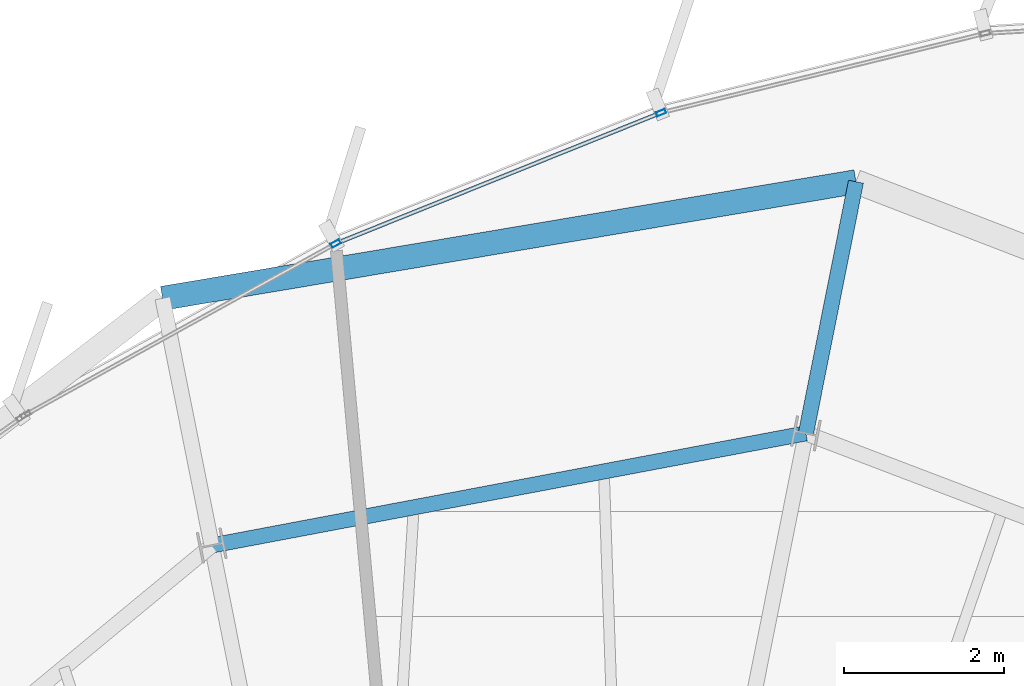
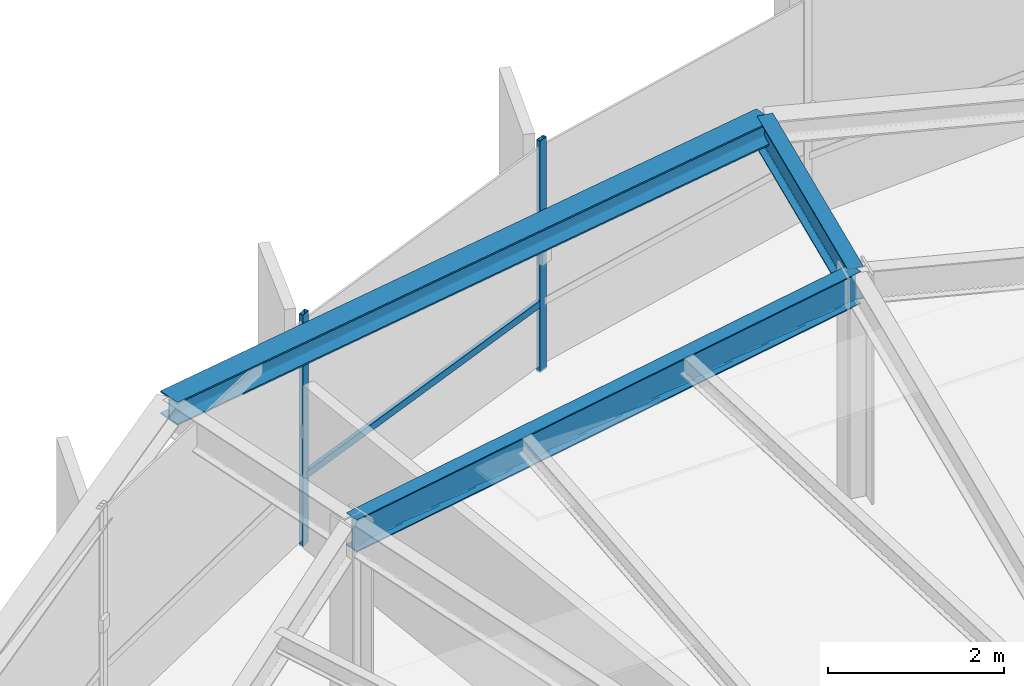
# One storey, part 21 of 32: 3 beams, 3 members, 1 element without a shape of its own.
"""IFC4 building model written with IfcOpenShell, lengths in metres."""

from ifc_helpers import new_model, si_unit, direction, frame, origin, origin_2d, place, context, subcontext, project, spatial, hollow_rectangle, i_section, extrude, source, transform, mapped, material, layer, layer_set, material_profile, profile_set, type_object, element, aggregate, save


model = new_model("IFC4")

# Units and contexts
model_context = context("Model", 3, precision=1e-05, world=origin(), true_north=direction((0.0, 1.0)))
body_context = subcontext(model_context, "Body", "Model", "MODEL_VIEW")
ifc_project = project(units=[si_unit("LENGTHUNIT", "METRE"), si_unit("AREAUNIT", "SQUARE_METRE"), si_unit("VOLUMEUNIT", "CUBIC_METRE"), si_unit("PLANEANGLEUNIT", "RADIAN"), si_unit("MASSUNIT", "GRAM", prefix="KILO"), si_unit("THERMODYNAMICTEMPERATUREUNIT", "KELVIN")], contexts=[model_context])

# Site, building, storey
site_placement = place(None, origin())
site = spatial("IfcSite", under=ifc_project, at=site_placement, CompositionType="ELEMENT")
building_placement = place(site_placement, origin())
building = spatial("IfcBuilding", under=site, at=building_placement, Name="Kethvar Cultural Tower", CompositionType="ELEMENT")
storey_placement = place(building_placement, frame((0.0, 0.0, 252.550048828125)))
storey = spatial("IfcBuildingStorey", under=building, at=storey_placement, Name="L66", CompositionType="ELEMENT", Elevation=252.550048828125)

# Beams
ifc_material_1 = material(Name="Steel S355J2", Category="steel")
ifc_material_profile_1 = material_profile(ifc_material_1, i_section(OverallWidth=0.18994140625, OverallDepth=0.449951171875, WebThickness=0.009521484375, FlangeThickness=0.0146484375, FilletRadius=0.02099609375, at=origin_2d()), Name="Steel S355J2 — IPE450")
ifc_profile_set_1 = profile_set([ifc_material_profile_1], Name="Steel S355J2 — IPE450")
beam_type_1 = type_object("IfcBeamType", Name="BM-IPE450", PredefinedType="BEAM", material=ifc_profile_set_1)
shared_shape_1 = source(origin(), body_context, "Body", "SweptSolid", [
    extrude(i_section(OverallWidth=0.18994140625, OverallDepth=0.449951171875, WebThickness=0.009521484375, FlangeThickness=0.0146484375, FilletRadius=0.02099609375, at=origin_2d()), origin(), (0.0, 0.0, 1.0), 3.199951171875),
])
beam_1_placement = place(storey_placement, frame((50.645263671875, 47.131591796875, 2.98291015625), z_axis=(0.195088965533, 0.980785550224, 0.0), x_axis=(-0.980785550224, 0.195088965533, 0.0)))
element("IfcBeam", 1, at=beam_1_placement, inside=storey, type_object=beam_type_1, Name="L66 Perimeter Cantilever Beam RC-04", PredefinedType="BEAM", context=body_context, shape_type="MappedRepresentation", body=[
    mapped(shared_shape_1, transform((0.0, 0.0, 0.0), scale=1.0)),
])
shared_shape_2 = source(origin(), body_context, "Body", "SweptSolid", [
    extrude(i_section(OverallWidth=0.18994140625, OverallDepth=0.449951171875, WebThickness=0.009521484375, FlangeThickness=0.0146484375, FilletRadius=0.02099609375, at=origin_2d()), origin(), (0.0, 0.0, 1.0), 7.543212890625),
])
beam_2_placement = place(storey_placement, frame((50.645263671875, 47.131591796875, 2.98291015625), z_axis=(-0.982646853086, -0.185486285532, 0.0), x_axis=(0.185486285532, -0.982646853086, 0.0)))
element("IfcBeam", 2, at=beam_2_placement, inside=storey, type_object=beam_type_1, Name="L66 Column Ring Tie Beam CR-04", PredefinedType="BEAM", context=body_context, shape_type="MappedRepresentation", body=[
    mapped(shared_shape_2, transform((0.0, 0.0, 0.0), scale=1.0)),
])
ifc_material_profile_2 = material_profile(ifc_material_1, i_section(OverallWidth=0.300048828125, OverallDepth=0.320068359375, WebThickness=0.011474609375, FlangeThickness=0.0205078125, FilletRadius=0.027099609375, at=origin_2d()), Name="Steel S355J2 — HEB320")
ifc_profile_set_2 = profile_set([ifc_material_profile_2], Name="Steel S355J2 — HEB320")
beam_type_2 = type_object("IfcBeamType", Name="BM-SP320", PredefinedType="SPANDREL", material=ifc_profile_set_2)
shared_shape_3 = source(origin(), body_context, "Body", "SweptSolid", [
    extrude(i_section(OverallWidth=0.300048828125, OverallDepth=0.320068359375, WebThickness=0.011474609375, FlangeThickness=0.0205078125, FilletRadius=0.027099609375, at=origin_2d()), origin(), (0.0, 0.0, 1.0), 8.771240234375),
])
beam_3_placement = place(storey_placement, frame((51.26953125, 50.27001953125, 3.0478515625), z_axis=(-0.986162761185, -0.165780000159, 0.0), x_axis=(0.165780000159, -0.986162761185, 0.0)))
element("IfcBeam", 3, at=beam_3_placement, inside=storey, type_object=beam_type_2, Name="L66 Perimeter Spandrel Beam SP-04", PredefinedType="SPANDREL", context=body_context, shape_type="MappedRepresentation", body=[
    mapped(shared_shape_3, transform((0.0, 0.0, 0.0), scale=1.0)),
])

# Curtain wall, members
ifc_material_2 = material(Name="Aluminium 6063-T6", Category="aluminium")
ifc_layer = layer(ifc_material_2, 0.179931640625, Name="Aluminium 6063-T6", Category="aluminium")
ifc_layer_set = layer_set([ifc_layer], Name="Aluminium 6063-T6 (180 mm)")
curtain_wall_type = type_object("IfcCurtainWallType", Name="CW-SYS-05-Z56", PredefinedType="NOTDEFINED", material=ifc_layer_set)
curtain_wall_placement = place(storey_placement, origin())
curtain_wall = element("IfcCurtainWall", 4, at=curtain_wall_placement, inside=storey, type_object=curtain_wall_type, Name="L66 Curtain Wall Run 01", PredefinedType="NOTDEFINED")
ifc_material_profile_3 = material_profile(ifc_material_2, hollow_rectangle(XDim=0.054931640625, YDim=0.1201171875, WallThickness=0.00390625, at=origin_2d()), Name="Aluminium 6063-T6 — RHS120x55x4")
ifc_profile_set_3 = profile_set([ifc_material_profile_3], Name="Aluminium 6063-T6 — RHS120x55x4")
member_type_1 = type_object("IfcMemberType", Name="CW-SYS-05-Z56-MUL", PredefinedType="MULLION", material=ifc_profile_set_3)
shared_shape_4 = source(origin(), body_context, "Body", "SweptSolid", [
    extrude(hollow_rectangle(XDim=0.054931640625, YDim=0.1201171875, WallThickness=0.00390625, at=origin_2d()), origin(), (0.0, 0.0, 1.0), 3.2099609375),
])
member_1_placement = place(storey_placement, frame((48.8388671875, 51.131591796875, 0.0), z_axis=(0.0, 0.0, 1.0), x_axis=(0.373360209857, -0.927686452254, 0.0)))
member_1 = element("IfcMember", 5, at=member_1_placement, type_object=member_type_1, Name="CW-L66-R01 Mullion 5", PredefinedType="MULLION", context=body_context, shape_type="MappedRepresentation", body=[
    mapped(shared_shape_4, transform((0.0, 0.0, 0.0), scale=1.0)),
])
member_2_placement = place(storey_placement, frame((44.7802734375, 49.4990234375, 0.0), z_axis=(0.0, 0.0, 1.0), x_axis=(0.483236543377, -0.875489830406, 0.0)))
member_2 = element("IfcMember", 6, at=member_2_placement, type_object=member_type_1, Name="CW-L66-R01 Mullion 6", PredefinedType="MULLION", context=body_context, shape_type="MappedRepresentation", body=[
    mapped(shared_shape_4, transform((0.0, 0.0, 0.0), scale=1.0)),
])
ifc_material_profile_4 = material_profile(ifc_material_2, hollow_rectangle(XDim=0.050048828125, YDim=0.10009765625, WallThickness=0.00390625, at=origin_2d()), Name="Aluminium 6063-T6 — RHS100x50x4")
ifc_profile_set_4 = profile_set([ifc_material_profile_4], Name="Aluminium 6063-T6 — RHS100x50x4")
member_type_2 = type_object("IfcMemberType", Name="CW-SYS-05-Z56-TRN", PredefinedType="USERDEFINED", material=ifc_profile_set_4)
shared_shape_5 = source(origin(), body_context, "Body", "SweptSolid", [
    extrude(hollow_rectangle(XDim=0.050048828125, YDim=0.10009765625, WallThickness=0.00390625, at=origin_2d()), origin(), (0.0, 0.0, 1.0), 4.3076171875),
])
member_3_placement = place(storey_placement, frame((48.80224609375, 51.116943359375, 0.949951171875), z_axis=(-0.927677174445, -0.373383261562, 0.0), x_axis=(0.373383261562, -0.927677174445, 0.0)))
member_3 = element("IfcMember", 7, at=member_3_placement, type_object=member_type_2, Name="CW-L66-R01 Transom 5", ObjectType="TRANSOM", PredefinedType="USERDEFINED", context=body_context, shape_type="MappedRepresentation", body=[
    mapped(shared_shape_5, transform((0.0, 0.0, 0.0), scale=1.0)),
])
aggregate(curtain_wall, [member_1, member_2, member_3])

save(model, "model.ifc")
